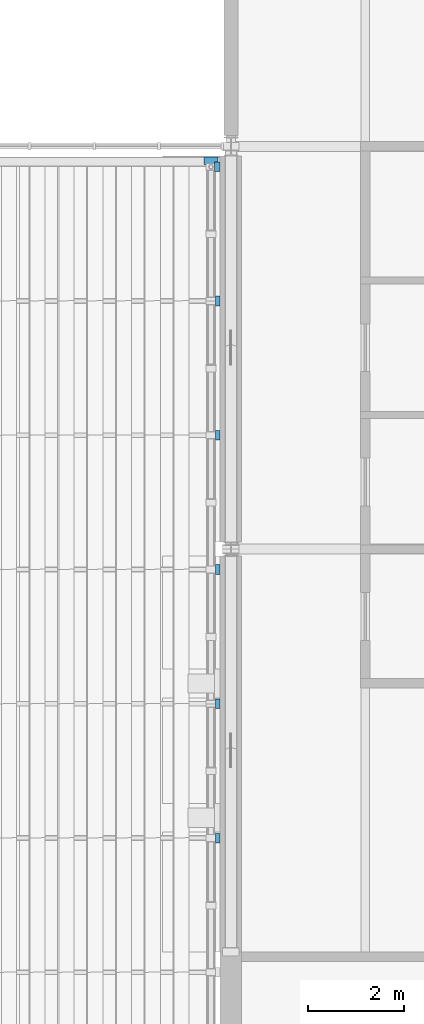
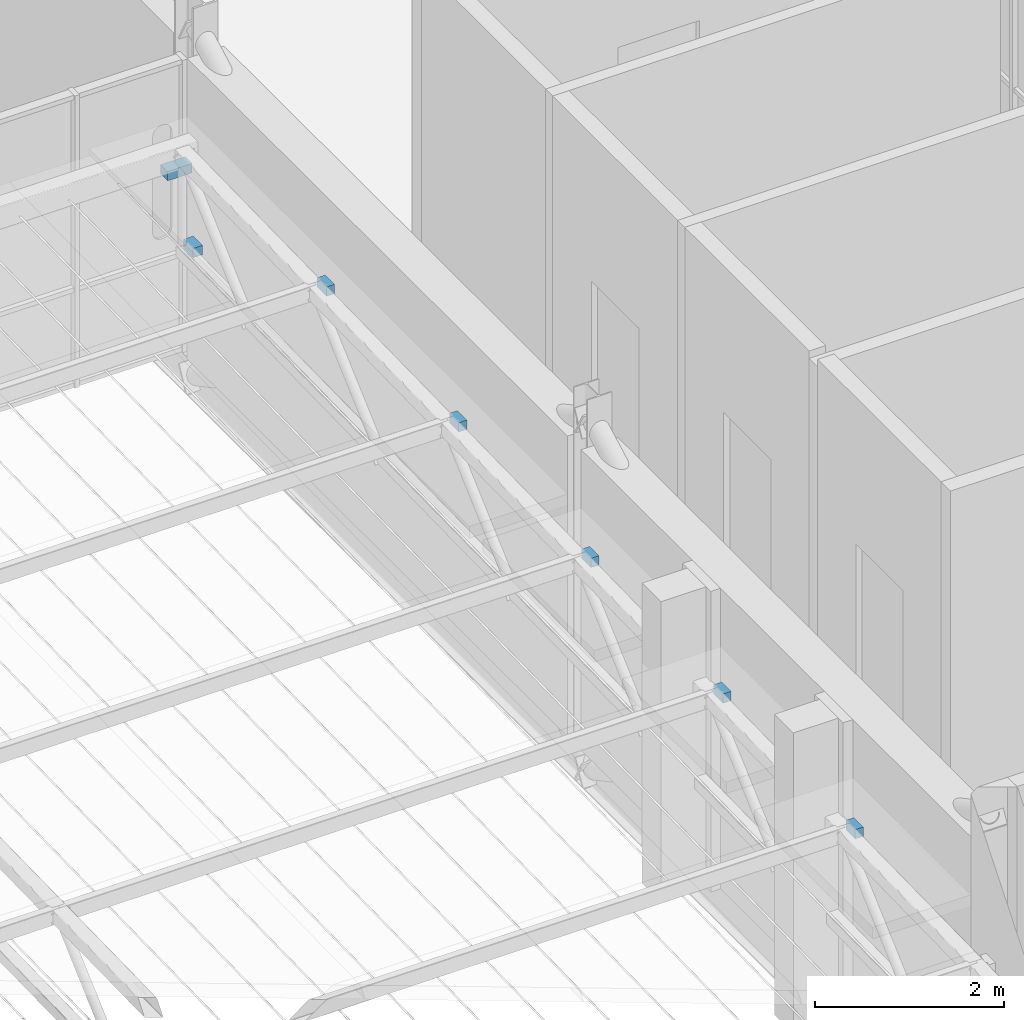
# One storey, part 63 of 129: 7 members.
"""IFC4 building model written with IfcOpenShell, lengths in metres."""

from ifc_helpers import new_model, si_unit, direction, frame, origin, origin_2d, place, context, subcontext, project, spatial, rectangle, extrude, material, material_profile, profile_set, type_object, element, save


model = new_model("IFC4")

# Units and contexts
model_context = context("Model", 3, precision=1e-05, world=origin(), true_north=direction((0.0, 1.0)))
body_context = subcontext(model_context, "Body", "Model", "MODEL_VIEW")
ifc_project = project(units=[si_unit("LENGTHUNIT", "METRE"), si_unit("AREAUNIT", "SQUARE_METRE"), si_unit("VOLUMEUNIT", "CUBIC_METRE"), si_unit("PLANEANGLEUNIT", "RADIAN"), si_unit("MASSUNIT", "GRAM", prefix="KILO")], contexts=[model_context])

# Site, building, storey
site_placement = place(None, origin())
site = spatial("IfcSite", under=ifc_project, at=site_placement, CompositionType="ELEMENT")
building_placement = place(site_placement, origin())
building = spatial("IfcBuilding", under=site, at=building_placement, Name="Ardhachandra Cancer Care Centre", CompositionType="ELEMENT")
storey_placement = place(building_placement, frame((0.0, 0.0, 4.5)))
storey = spatial("IfcBuildingStorey", under=building, at=storey_placement, Name="L01", CompositionType="ELEMENT", Elevation=4.5)

# Members
ifc_material_1 = material(Name="Steel E350 (IS 2062)", Category="steel")
ifc_material_profile_1 = material_profile(ifc_material_1, rectangle(XDim=0.300048828125, YDim=0.1201171875, at=origin_2d()), Name="PL 300x120")
ifc_profile_set_1 = profile_set([ifc_material_profile_1], Name="Steel E350 (IS 2062)")
member_type_1 = type_object("IfcMemberType", Name="Eave beam bracket 300x120", PredefinedType="USERDEFINED", material=ifc_profile_set_1)
member_1_placement = place(storey_placement, frame((111.18505859375, 54.22509765625, 2.58544921875), z_axis=(0.0, 1.0, 0.0), x_axis=(-1.0, 0.0, 0.0)))
element("IfcMember", 1, at=member_1_placement, inside=storey, type_object=member_type_1, Name="Eave beam bracket 9", ObjectType="BRACKET", PredefinedType="USERDEFINED", context=body_context, shape_type="SweptSolid", body=[
    extrude(rectangle(XDim=0.300048828125, YDim=0.1201171875, at=origin_2d()), origin(), (0.0, 0.0, 1.0), 0.14990234375),
])
ifc_material_2 = material(Name="Steel E350 (IS 2062)", Category="steel")
ifc_material_profile_2 = material_profile(ifc_material_2, rectangle(XDim=0.199951171875, YDim=0.1201171875, at=origin_2d()), Name="PL 200x120")
ifc_profile_set_2 = profile_set([ifc_material_profile_2], Name="Steel E350 (IS 2062)")
member_type_2 = type_object("IfcMemberType", Name="Truss bearing bracket 200x120", PredefinedType="USERDEFINED", material=ifc_profile_set_2)
for number, where, z_axis, x_axis, name in (
    (2, (111.27490234375, 51.375, 2.797607421875), (1.0, 0.0, 0.0), (0.0, 1.0, 0.0), "Truss bearing bracket 8"),
    (3, (111.27490234375, 48.574951171875, 2.741455078125), (1.0, 0.0, 0.0), (0.0, 1.0, 0.0), "Truss bearing bracket 9"),
    (4, (111.27490234375, 45.77490234375, 2.685546875), (1.0, 0.0, 0.0), (0.0, 1.0, 0.0), "Truss bearing bracket 10"),
    (5, (111.27490234375, 42.97509765625, 2.62939453125), (1.0, 0.0, 0.0), (0.0, 1.0, 0.0), "Truss bearing bracket 11"),
    (6, (111.27490234375, 40.175048828125, 2.573486328125), (1.0, 0.0, 0.0), (0.0, 1.0, 0.0), "Truss bearing bracket 12"),
):
    element("IfcMember", number, at=place(storey_placement, frame(where, z_axis=z_axis, x_axis=x_axis)), inside=storey, type_object=member_type_2, Name=name, ObjectType="BRACKET", PredefinedType="USERDEFINED", context=body_context, shape_type="SweptSolid", body=[
        extrude(rectangle(XDim=0.199951171875, YDim=0.1201171875, at=origin_2d()), origin(), (0.0, 0.0, 1.0), 0.10009765625),
    ])
member_2_placement = place(storey_placement, frame((111.260009765625, 54.175048828125, 1.603515625), z_axis=(1.0, 0.0, 0.0), x_axis=(0.0, 1.0, 0.0)))
element("IfcMember", 7, at=member_2_placement, inside=storey, type_object=member_type_2, Name="Truss seat bracket 4", ObjectType="BRACKET", PredefinedType="USERDEFINED", context=body_context, shape_type="SweptSolid", body=[
    extrude(rectangle(XDim=0.199951171875, YDim=0.1201171875, at=origin_2d()), origin(), (0.0, 0.0, 1.0), 0.114990234375),
])

save(model, "model.ifc")
